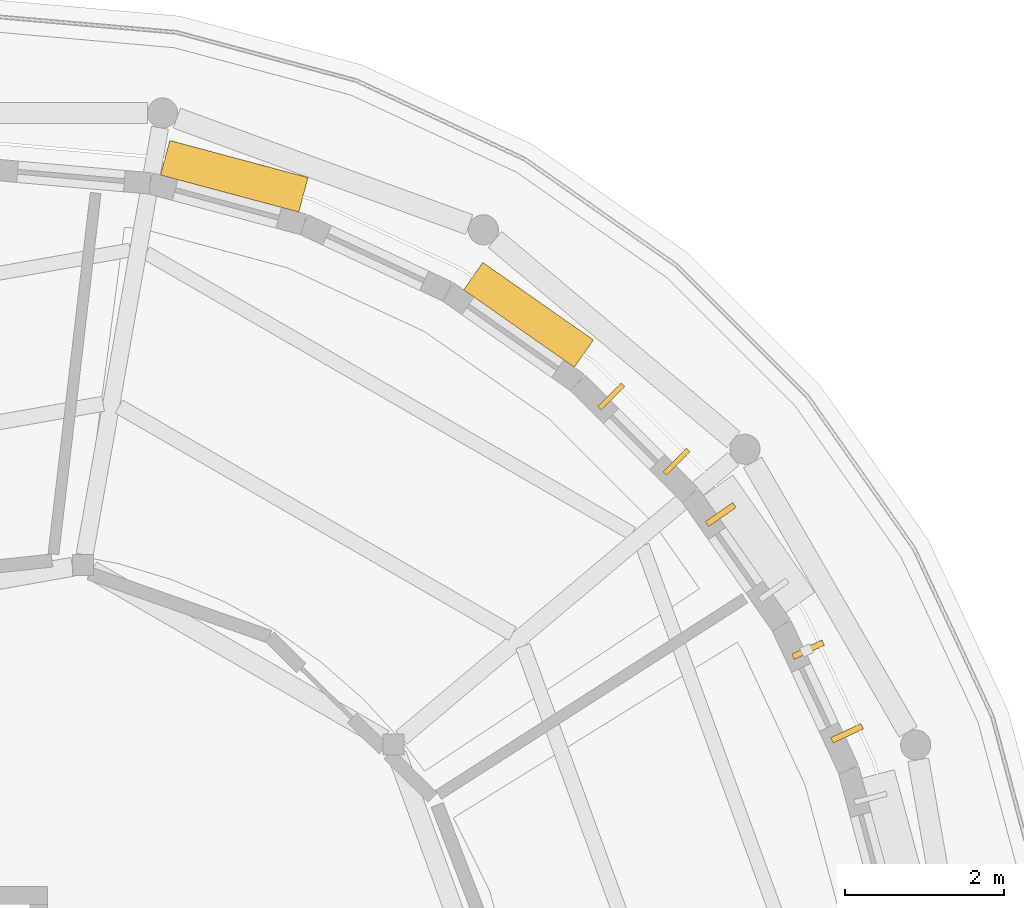
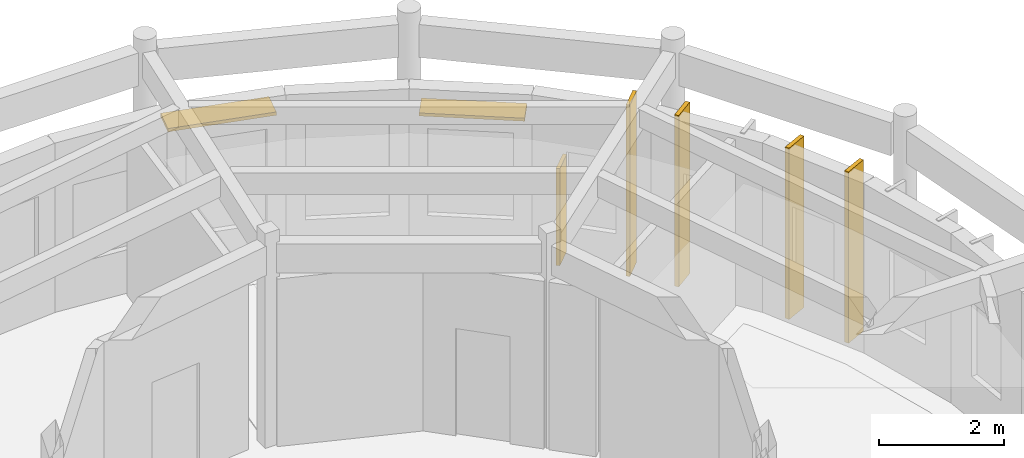
# One storey, part 27 of 30: 7 shading devices.
"""IFC4 building model written with IfcOpenShell, lengths in metres."""

import ifcopenshell
import ifcopenshell.guid

model = None  # the IFC model being written
_history = None  # IfcOwnerHistory: only IFC2X3 demands one
_inside = {}  # id of a spatial element -> (the spatial element, [elements in it])
_under = {}  # id of a project, library or spatial element -> (it, [spatial elements below it])
_declared = {}  # id of a project -> (the project, [libraries it declares])
_typed = {}  # id of a type object -> (the type object, [elements of that type])
_made_of = {}  # id of a material, layer set ... -> (it, [elements and type objects made of it])


def new_model(schema):
    """Start an empty IFC model of exactly this schema.

    Asked for "IFC4X3", IfcOpenShell would pick the latest addendum, in which some entities
    have other attributes; the version numbers below select the first issue.
    IFC2X3 requires an IfcOwnerHistory on every rooted entity: one is made here for all.
    """
    global model, _history
    if schema == "IFC4X3":
        model = ifcopenshell.file(schema_version=(4, 3, 0, 0))
    else:
        model = ifcopenshell.file(schema=schema)
    _inside.clear()
    _under.clear()
    _declared.clear()
    _typed.clear()
    _made_of.clear()
    _history = None
    if model.schema == "IFC2X3":
        org = make("IfcOrganization", Name="unknown")
        user = make(
            "IfcPersonAndOrganization",
            ThePerson=make("IfcPerson", FamilyName="unknown"),
            TheOrganization=org,
        )
        app = make(
            "IfcApplication",
            ApplicationDeveloper=org,
            Version="unknown",
            ApplicationFullName="unknown",
            ApplicationIdentifier="unknown",
        )
        _history = make(
            "IfcOwnerHistory",
            OwningUser=user,
            OwningApplication=app,
            ChangeAction="ADDED",
            CreationDate=0,
        )
    return model


def make(cls, **values):
    """One entity of the class cls with the attributes given. An attribute that is None is left unset."""
    return model.create_entity(
        cls, **{name: value for name, value in values.items() if value is not None}
    )


def rooted(cls, **values):
    """An entity with a GlobalId (a new one), such as an element, a storey or a relation."""
    return make(cls, GlobalId=ifcopenshell.guid.new(), OwnerHistory=_history, **values)


def si_unit(unit_type, name, prefix=None):
    """IfcSIUnit, for example si_unit("LENGTHUNIT", "METRE", prefix="MILLI")."""
    return make("IfcSIUnit", UnitType=unit_type, Prefix=prefix, Name=name)


def assignment(units):
    """IfcUnitAssignment: the units of a project."""
    return None if units is None else make("IfcUnitAssignment", Units=units)


def point(xyz):
    """IfcCartesianPoint."""
    return None if xyz is None else make("IfcCartesianPoint", Coordinates=xyz)


def direction(xyz):
    """IfcDirection."""
    return None if xyz is None else make("IfcDirection", DirectionRatios=xyz)


def frame(location, z_axis=None, x_axis=None):
    """IfcAxis2Placement3D, a coordinate frame: its origin and axes. An axis left out is left unset."""
    return make(
        "IfcAxis2Placement3D",
        Location=point(location),
        Axis=direction(z_axis),
        RefDirection=direction(x_axis),
    )


def frame_2d(location, x_axis=None):
    """IfcAxis2Placement2D, a coordinate frame in the plane: its origin and x axis."""
    return make(
        "IfcAxis2Placement2D", Location=point(location), RefDirection=direction(x_axis)
    )


def origin():
    """The frame at (0, 0, 0) with its axes left unset."""
    return frame((0.0, 0.0, 0.0))


def origin_2d():
    """The frame at (0, 0) in the plane with its x axis left unset."""
    return frame_2d((0.0, 0.0))


def place(relative_to, where):
    """IfcLocalPlacement: puts the frame where relative to a parent placement (None: the world)."""
    return make(
        "IfcLocalPlacement", PlacementRelTo=relative_to, RelativePlacement=where
    )


def context(
    kind, dimensions, precision=None, world=None, true_north=None, identifier=None
):
    """IfcGeometricRepresentationContext, for example the 3D "Model" context."""
    return make(
        "IfcGeometricRepresentationContext",
        ContextIdentifier=identifier,
        ContextType=kind,
        CoordinateSpaceDimension=dimensions,
        Precision=precision,
        WorldCoordinateSystem=world,
        TrueNorth=true_north,
    )


def subcontext(parent, identifier, kind, view, scale=None):
    """IfcGeometricRepresentationSubContext, for example "Body" below "Model"."""
    return make(
        "IfcGeometricRepresentationSubContext",
        ContextIdentifier=identifier,
        ContextType=kind,
        ParentContext=parent,
        TargetScale=scale,
        TargetView=view,
    )


def project(units=None, contexts=None):
    """IfcProject with its units and contexts."""
    return rooted(
        "IfcProject",
        Name="project",
        RepresentationContexts=contexts,
        UnitsInContext=assignment(units),
    )


def spatial(cls, under=None, at=None, **own):
    """A site, building, storey or space (cls), placed at a placement, below another one or the project."""
    s = rooted(cls, ObjectPlacement=at, **own)
    if under is not None:
        _under.setdefault(under.id(), (under, []))[1].append(s)
    return s


def profile(cls, at=None, kind="AREA", **sizes):
    """A parametric profile (cls). Its sizes go by their IFC names, for example OverallWidth=200.0."""
    return make(cls, ProfileType=kind, Position=at, **sizes)


def rectangle(**sizes):
    """IfcRectangleProfileDef."""
    return profile("IfcRectangleProfileDef", **sizes)


def extrude(swept, where, along, depth):
    """IfcExtrudedAreaSolid: the profile swept, set in the frame where, extruded along a direction by depth."""
    return make(
        "IfcExtrudedAreaSolid",
        SweptArea=swept,
        Position=where,
        ExtrudedDirection=direction(along),
        Depth=depth,
    )


def shape(context_of_items, identifier, shape_type, items):
    """IfcShapeRepresentation: the items that make up one representation, for example the "Body"."""
    return make(
        "IfcShapeRepresentation",
        ContextOfItems=context_of_items,
        RepresentationIdentifier=identifier,
        RepresentationType=shape_type,
        Items=items,
    )


def material(Name=None, Category=None):
    """IfcMaterial."""
    return make("IfcMaterial", Name=Name, Category=Category)


def made_of(thing, what):
    """Note that an element or type object is made of a material, layer set ...; save() writes the relation."""
    if what is not None:
        _made_of.setdefault(what.id(), (what, []))[1].append(thing)
    return thing


def type_object(cls, material=None, **own):
    """A type object (cls), such as IfcWallType, which elements share."""
    return made_of(rooted(cls, **own), material)


def element(
    cls,
    number,
    at=None,
    inside=None,
    cuts=None,
    type_object=None,
    material=None,
    context=None,
    identifier="Body",
    shape_type=None,
    held_by="IfcProductDefinitionShape",
    body=None,
    shapes=None,
    **own,
):
    """One element of the class cls, such as IfcWall. Its Tag is "e" and its number.

    at: its placement. inside: the storey or other place that contains it. cuts: it is an
    opening in that element (IfcRelVoidsElement). A single representation is given by context,
    identifier, shape_type and body (its items); several are given by shapes. held_by: the class
    of the entity that holds the representations. save() writes the other relations.
    """
    e = rooted(cls, Tag="e%d" % number, ObjectPlacement=at, **own)
    if body is not None:
        shapes = [shape(context, identifier, shape_type, body)]
    if shapes is not None:
        e.Representation = make(held_by, Representations=shapes)
    if inside is not None:
        _inside.setdefault(inside.id(), (inside, []))[1].append(e)
    if cuts is not None:
        rooted(
            "IfcRelVoidsElement", RelatingBuildingElement=cuts, RelatedOpeningElement=e
        )
    if type_object is not None:
        _typed.setdefault(type_object.id(), (type_object, []))[1].append(e)
    return made_of(e, material)


def aggregate(whole, parts):
    """IfcRelAggregates: a whole, such as a stair, and the parts it consists of."""
    return rooted("IfcRelAggregates", RelatingObject=whole, RelatedObjects=parts)


def save(model, path):
    """Write the relations noted so far, then the file.

    IfcRelAggregates (storeys below a building ...), IfcRelContainedInSpatialStructure (elements
    in a storey), IfcRelDefinesByType, IfcRelAssociatesMaterial and IfcRelDeclares: one each for
    every whole, place, type object, material and project.
    """
    for whole, parts in _under.values():
        aggregate(whole, parts)
    for where, things in _inside.values():
        rooted(
            "IfcRelContainedInSpatialStructure",
            RelatedElements=things,
            RelatingStructure=where,
        )
    for kind, things in _typed.values():
        rooted("IfcRelDefinesByType", RelatedObjects=things, RelatingType=kind)
    for what, things in _made_of.values():
        rooted("IfcRelAssociatesMaterial", RelatedObjects=things, RelatingMaterial=what)
    for by, libraries in _declared.values():
        rooted("IfcRelDeclares", RelatingContext=by, RelatedDefinitions=libraries)
    model.write(path)


model = new_model("IFC4")

# Units and contexts
model_context = context("Model", 3, precision=1e-05, world=origin(), true_north=direction((0.0, 1.0)))
body_context = subcontext(model_context, "Body", "Model", "MODEL_VIEW")
ifc_project = project(units=[si_unit("LENGTHUNIT", "METRE"), si_unit("AREAUNIT", "SQUARE_METRE"), si_unit("VOLUMEUNIT", "CUBIC_METRE"), si_unit("PLANEANGLEUNIT", "RADIAN"), si_unit("MASSUNIT", "GRAM", prefix="KILO")], contexts=[model_context])

# Site, building, storey
site_placement = place(None, origin())
site = spatial("IfcSite", under=ifc_project, at=site_placement, CompositionType="ELEMENT")
building_placement = place(site_placement, origin())
building = spatial("IfcBuilding", under=site, at=building_placement, Name="Aldenvaro Health Centre", CompositionType="ELEMENT")
storey_placement = place(building_placement, frame((0.0, 0.0, 17.14990234375)))
storey = spatial("IfcBuildingStorey", under=building, at=storey_placement, Name="L04", CompositionType="ELEMENT", Elevation=17.14990234375)

# Shading devices
ifc_material = material(Name="Douglas Fir Exterior Glulam GL28h", Category="wood")
shading_device_type_1 = type_object("IfcShadingDeviceType", Name="SHD-FIN-190", PredefinedType="USERDEFINED", material=ifc_material)
shading_device_1_placement = place(storey_placement, frame((26.300048828125, 27.12109375, -0.019775390625), z_axis=(0.0, 0.0, 1.0), x_axis=(0.707106781187, -0.707106781187, 0.0)))
element("IfcShadingDevice", 1, at=shading_device_1_placement, inside=storey, type_object=shading_device_type_1, Name="D5 L04 Douglas fir fin 31.1", ObjectType="FIN", PredefinedType="USERDEFINED", context=body_context, shape_type="SweptSolid", body=[
    extrude(rectangle(XDim=0.06494140625, YDim=0.419921875, at=origin_2d()), origin(), (0.0, 0.0, 1.0), 1.89990234375),
])
shading_device_type_2 = type_object("IfcShadingDeviceType", Name="SHD-FIN-340", PredefinedType="USERDEFINED", material=ifc_material)
for number, where, z_axis, x_axis, name in (
    (2, (28.778076171875, 23.93310546875, -0.02001953125), (0.0, 0.0, 1.0), (0.422666647477, -0.906285222825, 0.0), "D5 L04 Douglas fir fin 33.1"),
    (3, (29.26904296875, 22.881103515625, -0.02001953125), (0.0, 0.0, 1.0), (0.422666647477, -0.906285222825, 0.0), "D5 L04 Douglas fir fin 33.3"),
):
    element("IfcShadingDevice", number, at=place(storey_placement, frame(where, z_axis=z_axis, x_axis=x_axis)), inside=storey, type_object=shading_device_type_2, Name=name, ObjectType="FIN", PredefinedType="USERDEFINED", context=body_context, shape_type="SweptSolid", body=[
        extrude(rectangle(XDim=0.074951171875, YDim=0.419921875, at=origin_2d()), origin(), (0.0, 0.0, 1.0), 3.35400390625),
    ])
shading_device_type_3 = type_object("IfcShadingDeviceType", Name="SHD-FIN-380", PredefinedType="USERDEFINED", material=ifc_material)
shading_device_2_placement = place(storey_placement, frame((27.677978515625, 25.635009765625, -0.02001953125), z_axis=(0.0, 0.0, 1.0), x_axis=(0.57369709618, -0.819067544122, 0.0)))
element("IfcShadingDevice", 4, at=shading_device_2_placement, inside=storey, type_object=shading_device_type_3, Name="D5 L04 Douglas fir fin 32.1", ObjectType="FIN", PredefinedType="USERDEFINED", context=body_context, shape_type="SweptSolid", body=[
    extrude(rectangle(XDim=0.074951171875, YDim=0.419921875, at=origin_2d()), origin(), (0.0, 0.0, 1.0), 3.35400390625),
])
shading_device_type_4 = type_object("IfcShadingDeviceType", Name="SHD-FIN-400", PredefinedType="USERDEFINED", material=ifc_material)
shading_device_3_placement = place(storey_placement, frame((27.12109375, 26.300048828125, -0.02001953125), z_axis=(0.0, 0.0, 1.0), x_axis=(0.707106781187, -0.707106781187, 0.0)))
element("IfcShadingDevice", 5, at=shading_device_3_placement, inside=storey, type_object=shading_device_type_4, Name="D5 L04 Douglas fir fin 31.3", ObjectType="FIN", PredefinedType="USERDEFINED", context=body_context, shape_type="SweptSolid", body=[
    extrude(rectangle(XDim=0.06494140625, YDim=0.419921875, at=origin_2d()), origin(), (0.0, 0.0, 1.0), 3.35400390625),
])
shading_device_type_5 = type_object("IfcShadingDeviceType", Name="SHD-LVR-170", PredefinedType="JALOUSIE", material=ifc_material)
shading_device_4_placement = place(storey_placement, frame((25.258056640625, 28.14990234375, 2.60009765625), z_axis=(0.0, 0.0, 1.0), x_axis=(0.819067544122, -0.57369709618, 0.0)))
element("IfcShadingDevice", 6, at=shading_device_4_placement, inside=storey, type_object=shading_device_type_5, Name="D5 L04 horizontal solar louvre 30", PredefinedType="JALOUSIE", context=body_context, shape_type="SweptSolid", body=[
    extrude(rectangle(XDim=1.699951171875, YDim=0.419921875, at=origin_2d()), origin(), (0.0, 0.0, 1.0), 0.06005859375),
])
shading_device_type_6 = type_object("IfcShadingDeviceType", Name="SHD-LVR-210", PredefinedType="JALOUSIE", material=ifc_material)
shading_device_5_placement = place(storey_placement, frame((21.552978515625, 29.89501953125, 2.74755859375), z_axis=(0.0, 0.0, 1.0), x_axis=(0.965919053651, -0.258844319608, 0.0)))
element("IfcShadingDevice", 7, at=shading_device_5_placement, inside=storey, type_object=shading_device_type_6, Name="D5 L04 horizontal solar louvre 28", PredefinedType="JALOUSIE", context=body_context, shape_type="SweptSolid", body=[
    extrude(rectangle(XDim=1.80126953125, YDim=0.449951171875, at=origin_2d()), origin(), (0.0, 0.0, 1.0), 0.06494140625),
])

save(model, "model.ifc")
